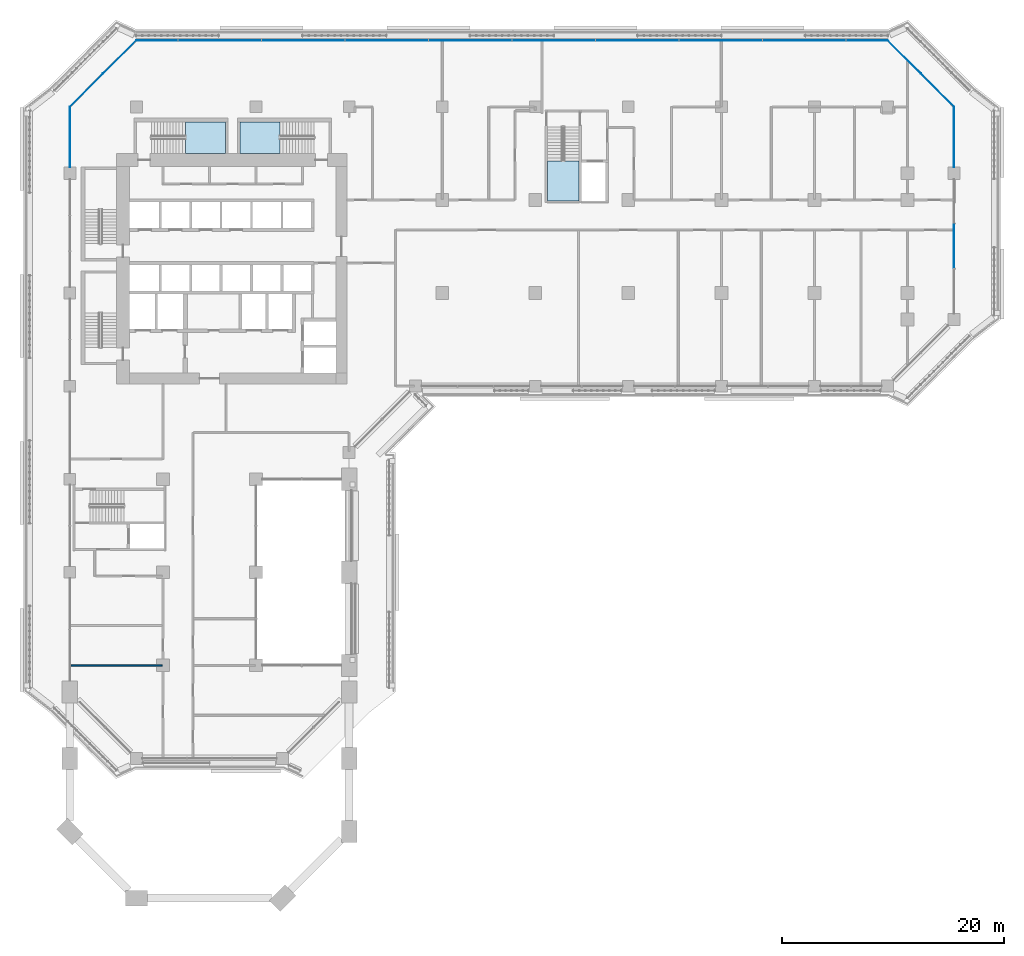
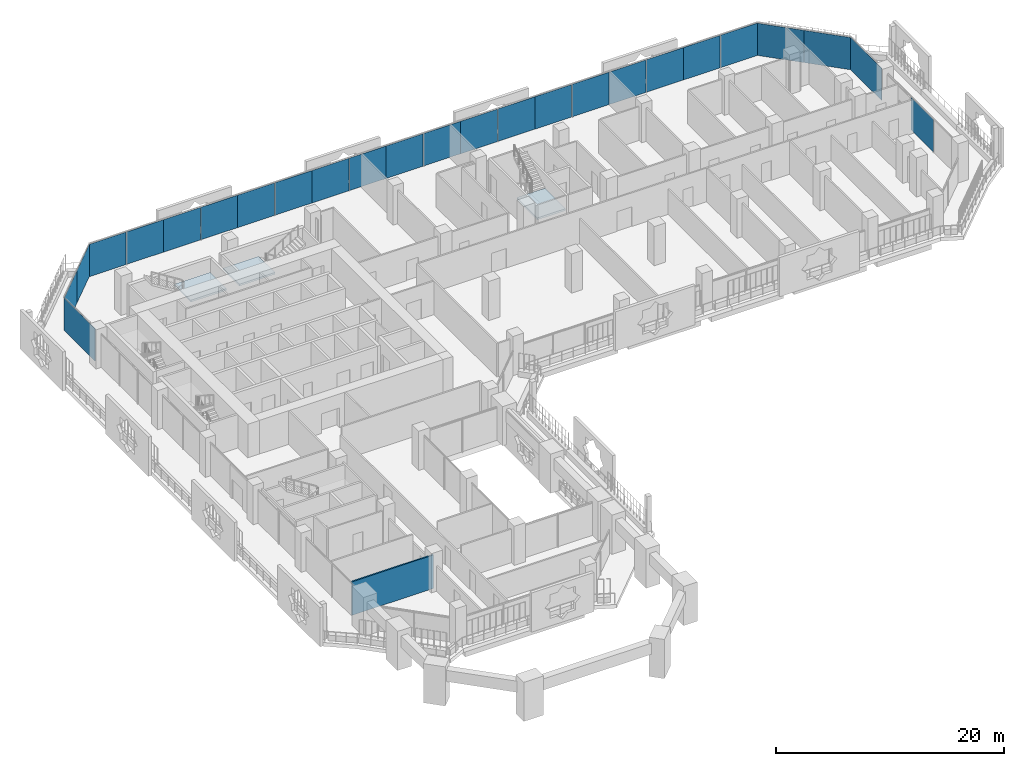
# One storey, part 12 of 27: 25 plates, 3 slabs, 1 wall, 8 elements without a shape of their own.
"""IFC4 building model written with IfcOpenShell, lengths in metres."""

import ifcopenshell
import ifcopenshell.guid

model = None  # the IFC model being written
_history = None  # IfcOwnerHistory: only IFC2X3 demands one
_inside = {}  # id of a spatial element -> (the spatial element, [elements in it])
_under = {}  # id of a project, library or spatial element -> (it, [spatial elements below it])
_declared = {}  # id of a project -> (the project, [libraries it declares])
_typed = {}  # id of a type object -> (the type object, [elements of that type])
_made_of = {}  # id of a material, layer set ... -> (it, [elements and type objects made of it])


def new_model(schema):
    """Start an empty IFC model of exactly this schema.

    Asked for "IFC4X3", IfcOpenShell would pick the latest addendum, in which some entities
    have other attributes; the version numbers below select the first issue.
    IFC2X3 requires an IfcOwnerHistory on every rooted entity: one is made here for all.
    """
    global model, _history
    if schema == "IFC4X3":
        model = ifcopenshell.file(schema_version=(4, 3, 0, 0))
    else:
        model = ifcopenshell.file(schema=schema)
    _inside.clear()
    _under.clear()
    _declared.clear()
    _typed.clear()
    _made_of.clear()
    _history = None
    if model.schema == "IFC2X3":
        org = make("IfcOrganization", Name="unknown")
        user = make(
            "IfcPersonAndOrganization",
            ThePerson=make("IfcPerson", FamilyName="unknown"),
            TheOrganization=org,
        )
        app = make(
            "IfcApplication",
            ApplicationDeveloper=org,
            Version="unknown",
            ApplicationFullName="unknown",
            ApplicationIdentifier="unknown",
        )
        _history = make(
            "IfcOwnerHistory",
            OwningUser=user,
            OwningApplication=app,
            ChangeAction="ADDED",
            CreationDate=0,
        )
    return model


def make(cls, **values):
    """One entity of the class cls with the attributes given. An attribute that is None is left unset."""
    return model.create_entity(
        cls, **{name: value for name, value in values.items() if value is not None}
    )


def rooted(cls, **values):
    """An entity with a GlobalId (a new one), such as an element, a storey or a relation."""
    return make(cls, GlobalId=ifcopenshell.guid.new(), OwnerHistory=_history, **values)


def si_unit(unit_type, name, prefix=None):
    """IfcSIUnit, for example si_unit("LENGTHUNIT", "METRE", prefix="MILLI")."""
    return make("IfcSIUnit", UnitType=unit_type, Prefix=prefix, Name=name)


def assignment(units):
    """IfcUnitAssignment: the units of a project."""
    return None if units is None else make("IfcUnitAssignment", Units=units)


def point(xyz):
    """IfcCartesianPoint."""
    return None if xyz is None else make("IfcCartesianPoint", Coordinates=xyz)


def direction(xyz):
    """IfcDirection."""
    return None if xyz is None else make("IfcDirection", DirectionRatios=xyz)


def frame(location, z_axis=None, x_axis=None):
    """IfcAxis2Placement3D, a coordinate frame: its origin and axes. An axis left out is left unset."""
    return make(
        "IfcAxis2Placement3D",
        Location=point(location),
        Axis=direction(z_axis),
        RefDirection=direction(x_axis),
    )


def frame_2d(location, x_axis=None):
    """IfcAxis2Placement2D, a coordinate frame in the plane: its origin and x axis."""
    return make(
        "IfcAxis2Placement2D", Location=point(location), RefDirection=direction(x_axis)
    )


def origin():
    """The frame at (0, 0, 0) with its axes left unset."""
    return frame((0.0, 0.0, 0.0))


def origin_2d():
    """The frame at (0, 0) in the plane with its x axis left unset."""
    return frame_2d((0.0, 0.0))


def place(relative_to, where):
    """IfcLocalPlacement: puts the frame where relative to a parent placement (None: the world)."""
    return make(
        "IfcLocalPlacement", PlacementRelTo=relative_to, RelativePlacement=where
    )


def context(
    kind, dimensions, precision=None, world=None, true_north=None, identifier=None
):
    """IfcGeometricRepresentationContext, for example the 3D "Model" context."""
    return make(
        "IfcGeometricRepresentationContext",
        ContextIdentifier=identifier,
        ContextType=kind,
        CoordinateSpaceDimension=dimensions,
        Precision=precision,
        WorldCoordinateSystem=world,
        TrueNorth=true_north,
    )


def subcontext(parent, identifier, kind, view, scale=None):
    """IfcGeometricRepresentationSubContext, for example "Body" below "Model"."""
    return make(
        "IfcGeometricRepresentationSubContext",
        ContextIdentifier=identifier,
        ContextType=kind,
        ParentContext=parent,
        TargetScale=scale,
        TargetView=view,
    )


def project(units=None, contexts=None):
    """IfcProject with its units and contexts."""
    return rooted(
        "IfcProject",
        Name="project",
        RepresentationContexts=contexts,
        UnitsInContext=assignment(units),
    )


def spatial(cls, under=None, at=None, **own):
    """A site, building, storey or space (cls), placed at a placement, below another one or the project."""
    s = rooted(cls, ObjectPlacement=at, **own)
    if under is not None:
        _under.setdefault(under.id(), (under, []))[1].append(s)
    return s


def polyline(points):
    """IfcPolyline through the points."""
    return make("IfcPolyline", Points=[point(p) for p in points])


def profile(cls, at=None, kind="AREA", **sizes):
    """A parametric profile (cls). Its sizes go by their IFC names, for example OverallWidth=200.0."""
    return make(cls, ProfileType=kind, Position=at, **sizes)


def rectangle(**sizes):
    """IfcRectangleProfileDef."""
    return profile("IfcRectangleProfileDef", **sizes)


def outline(outer, holes=None, kind="AREA"):
    """IfcArbitraryClosedProfileDef: a profile drawn as a closed curve; with holes, ...WithVoids."""
    if holes is None:
        return make("IfcArbitraryClosedProfileDef", ProfileType=kind, OuterCurve=outer)
    return make(
        "IfcArbitraryProfileDefWithVoids",
        ProfileType=kind,
        OuterCurve=outer,
        InnerCurves=holes,
    )


def extrude(swept, where, along, depth):
    """IfcExtrudedAreaSolid: the profile swept, set in the frame where, extruded along a direction by depth."""
    return make(
        "IfcExtrudedAreaSolid",
        SweptArea=swept,
        Position=where,
        ExtrudedDirection=direction(along),
        Depth=depth,
    )


def shape(context_of_items, identifier, shape_type, items):
    """IfcShapeRepresentation: the items that make up one representation, for example the "Body"."""
    return make(
        "IfcShapeRepresentation",
        ContextOfItems=context_of_items,
        RepresentationIdentifier=identifier,
        RepresentationType=shape_type,
        Items=items,
    )


def material(Name=None, Category=None):
    """IfcMaterial."""
    return make("IfcMaterial", Name=Name, Category=Category)


def layer(
    of_material, thickness, ventilated=None, Name=None, Category=None, Priority=None
):
    """IfcMaterialLayer: one layer of a wall or slab, of a material (None: an air gap)."""
    return make(
        "IfcMaterialLayer",
        Material=of_material,
        LayerThickness=thickness,
        IsVentilated=ventilated,
        Name=Name,
        Category=Category,
        Priority=Priority,
    )


def layer_set(layers, Name=None):
    """IfcMaterialLayerSet."""
    return make("IfcMaterialLayerSet", MaterialLayers=layers, LayerSetName=Name)


def made_of(thing, what):
    """Note that an element or type object is made of a material, layer set ...; save() writes the relation."""
    if what is not None:
        _made_of.setdefault(what.id(), (what, []))[1].append(thing)
    return thing


def type_object(cls, material=None, **own):
    """A type object (cls), such as IfcWallType, which elements share."""
    return made_of(rooted(cls, **own), material)


def element(
    cls,
    number,
    at=None,
    inside=None,
    cuts=None,
    type_object=None,
    material=None,
    context=None,
    identifier="Body",
    shape_type=None,
    held_by="IfcProductDefinitionShape",
    body=None,
    shapes=None,
    **own,
):
    """One element of the class cls, such as IfcWall. Its Tag is "e" and its number.

    at: its placement. inside: the storey or other place that contains it. cuts: it is an
    opening in that element (IfcRelVoidsElement). A single representation is given by context,
    identifier, shape_type and body (its items); several are given by shapes. held_by: the class
    of the entity that holds the representations. save() writes the other relations.
    """
    e = rooted(cls, Tag="e%d" % number, ObjectPlacement=at, **own)
    if body is not None:
        shapes = [shape(context, identifier, shape_type, body)]
    if shapes is not None:
        e.Representation = make(held_by, Representations=shapes)
    if inside is not None:
        _inside.setdefault(inside.id(), (inside, []))[1].append(e)
    if cuts is not None:
        rooted(
            "IfcRelVoidsElement", RelatingBuildingElement=cuts, RelatedOpeningElement=e
        )
    if type_object is not None:
        _typed.setdefault(type_object.id(), (type_object, []))[1].append(e)
    return made_of(e, material)


def aggregate(whole, parts):
    """IfcRelAggregates: a whole, such as a stair, and the parts it consists of."""
    return rooted("IfcRelAggregates", RelatingObject=whole, RelatedObjects=parts)


def save(model, path):
    """Write the relations noted so far, then the file.

    IfcRelAggregates (storeys below a building ...), IfcRelContainedInSpatialStructure (elements
    in a storey), IfcRelDefinesByType, IfcRelAssociatesMaterial and IfcRelDeclares: one each for
    every whole, place, type object, material and project.
    """
    for whole, parts in _under.values():
        aggregate(whole, parts)
    for where, things in _inside.values():
        rooted(
            "IfcRelContainedInSpatialStructure",
            RelatedElements=things,
            RelatingStructure=where,
        )
    for kind, things in _typed.values():
        rooted("IfcRelDefinesByType", RelatedObjects=things, RelatingType=kind)
    for what, things in _made_of.values():
        rooted("IfcRelAssociatesMaterial", RelatedObjects=things, RelatingMaterial=what)
    for by, libraries in _declared.values():
        rooted("IfcRelDeclares", RelatingContext=by, RelatedDefinitions=libraries)
    model.write(path)


model = new_model("IFC4")

# Units and contexts
model_context = context("Model", 3, precision=1e-05, world=origin(), true_north=direction((0.0, 1.0)))
body_context = subcontext(model_context, "Body", "Model", "MODEL_VIEW")
ifc_project = project(units=[si_unit("LENGTHUNIT", "METRE"), si_unit("AREAUNIT", "SQUARE_METRE"), si_unit("VOLUMEUNIT", "CUBIC_METRE"), si_unit("PLANEANGLEUNIT", "RADIAN"), si_unit("MASSUNIT", "GRAM", prefix="KILO")], contexts=[model_context])

# Site, building, storey
site_placement = place(None, origin())
site = spatial("IfcSite", under=ifc_project, at=site_placement, CompositionType="ELEMENT")
building_placement = place(site_placement, origin())
building = spatial("IfcBuilding", under=site, at=building_placement, Name="Kawkab Arch Medical Tower", CompositionType="ELEMENT")
storey_placement = place(building_placement, frame((0.0, 0.0, 103.0)))
storey = spatial("IfcBuildingStorey", under=building, at=storey_placement, Name="L23", CompositionType="ELEMENT", Elevation=103.0)

# Curtain wall, plates
ifc_material_1 = material(Name="Bronze anodised aluminium curtain wall frame", Category="aluminium")
ifc_layer_1 = layer(ifc_material_1, 0.159912109375)
ifc_layer_set_1 = layer_set([ifc_layer_1], Name="Bronze anodised aluminium curtain wall frame")
curtain_wall_type_1 = type_object("IfcCurtainWallType", Name="CW1 ward curtain wall", PredefinedType="NOTDEFINED", material=ifc_layer_set_1)
placement_1 = place(storey_placement, origin())
curtain_wall_1 = element("IfcCurtainWall", 1, at=placement_1, inside=storey, type_object=curtain_wall_type_1, Name="CW1 Ward curtain wall R09", PredefinedType="NOTDEFINED")
ifc_material_2 = material(Name="Tinted insulating glass, bronze low-e coating", Category="glass")
ifc_layer_2 = layer(ifc_material_2, 0.031982421875)
ifc_layer_set_2 = layer_set([ifc_layer_2], Name="Tinted insulating glass, bronze low-e coating")
plate_type_1 = type_object("IfcPlateType", Name="CW1 glazing unit 32", PredefinedType="CURTAIN_PANEL", material=ifc_layer_set_2)
plate_1_placement = place(storey_placement, frame((79.800048828125, -12.5849609375, 0.0), z_axis=(0.0, 0.0, 1.0), x_axis=(0.0, 1.0, 0.0)))
plate_1 = element("IfcPlate", 2, at=plate_1_placement, type_object=plate_type_1, Name="CW1 glazing unit 1.2", PredefinedType="CURTAIN_PANEL", context=body_context, shape_type="SweptSolid", body=[
    extrude(rectangle(XDim=4.00341796875, YDim=0.031982421875, at=origin_2d()), origin(), (0.0, 0.0, 1.0), 3.47998046875),
])
plate_2_placement = place(storey_placement, frame((79.800048828125, -2.72509765625, 0.0), z_axis=(0.0, 0.0, 1.0), x_axis=(0.0, 1.0, 0.0)))
plate_2 = element("IfcPlate", 3, at=plate_2_placement, type_object=plate_type_1, Name="CW1 glazing unit 2.1", PredefinedType="CURTAIN_PANEL", context=body_context, shape_type="SweptSolid", body=[
    extrude(rectangle(XDim=5.449951171875, YDim=0.031982421875, at=origin_2d()), origin(), (0.0, 0.0, 1.0), 3.47998046875),
])
aggregate(curtain_wall_1, [plate_1, plate_2])

curtain_wall_2 = element("IfcCurtainWall", 4, at=placement_1, inside=storey, type_object=curtain_wall_type_1, Name="CW1 Ward curtain wall R11", PredefinedType="NOTDEFINED")
plate_3_placement = place(storey_placement, frame((71.931640625, 6.0, 0.0), z_axis=(0.0, 0.0, 1.0), x_axis=(-1.0, 0.0, 0.0)))
plate_3 = element("IfcPlate", 5, at=plate_3_placement, type_object=plate_type_1, Name="CW1 glazing unit 1.1", PredefinedType="CURTAIN_PANEL", context=body_context, shape_type="SweptSolid", body=[
    extrude(rectangle(XDim=3.736572265625, YDim=0.031982421875, at=origin_2d()), origin(), (0.0, 0.0, 1.0), 3.47998046875),
])
plate_4_placement = place(storey_placement, frame((68.135009765625, 6.0, 0.0), z_axis=(0.0, 0.0, 1.0), x_axis=(-1.0, 0.0, 0.0)))
plate_4 = element("IfcPlate", 6, at=plate_4_placement, type_object=plate_type_1, Name="CW1 glazing unit 1.2", PredefinedType="CURTAIN_PANEL", context=body_context, shape_type="SweptSolid", body=[
    extrude(rectangle(XDim=3.736572265625, YDim=0.031982421875, at=origin_2d()), origin(), (0.0, 0.0, 1.0), 3.47998046875),
])
plate_5_placement = place(storey_placement, frame((64.3984375, 6.0, 0.0), z_axis=(0.0, 0.0, 1.0), x_axis=(-1.0, 0.0, 0.0)))
plate_5 = element("IfcPlate", 7, at=plate_5_placement, type_object=plate_type_1, Name="CW1 glazing unit 2.1", PredefinedType="CURTAIN_PANEL", context=body_context, shape_type="SweptSolid", body=[
    extrude(rectangle(XDim=3.736572265625, YDim=0.031982421875, at=origin_2d()), origin(), (0.0, 0.0, 1.0), 3.47998046875),
])
plate_6_placement = place(storey_placement, frame((60.6015625, 6.0, 0.0), z_axis=(0.0, 0.0, 1.0), x_axis=(-1.0, 0.0, 0.0)))
plate_6 = element("IfcPlate", 8, at=plate_6_placement, type_object=plate_type_1, Name="CW1 glazing unit 2.2", PredefinedType="CURTAIN_PANEL", context=body_context, shape_type="SweptSolid", body=[
    extrude(rectangle(XDim=3.736572265625, YDim=0.031982421875, at=origin_2d()), origin(), (0.0, 0.0, 1.0), 3.47998046875),
])
plate_7_placement = place(storey_placement, frame((56.864990234375, 6.0, 0.0), z_axis=(0.0, 0.0, 1.0), x_axis=(-1.0, 0.0, 0.0)))
plate_7 = element("IfcPlate", 9, at=plate_7_placement, type_object=plate_type_1, Name="CW1 glazing unit 3.1", PredefinedType="CURTAIN_PANEL", context=body_context, shape_type="SweptSolid", body=[
    extrude(rectangle(XDim=3.736572265625, YDim=0.031982421875, at=origin_2d()), origin(), (0.0, 0.0, 1.0), 3.47998046875),
])
plate_8_placement = place(storey_placement, frame((53.068359375, 6.0, 0.0), z_axis=(0.0, 0.0, 1.0), x_axis=(-1.0, 0.0, 0.0)))
plate_8 = element("IfcPlate", 10, at=plate_8_placement, type_object=plate_type_1, Name="CW1 glazing unit 3.2", PredefinedType="CURTAIN_PANEL", context=body_context, shape_type="SweptSolid", body=[
    extrude(rectangle(XDim=3.736572265625, YDim=0.031982421875, at=origin_2d()), origin(), (0.0, 0.0, 1.0), 3.47998046875),
])
plate_9_placement = place(storey_placement, frame((49.331787109375, 6.0, 0.0), z_axis=(0.0, 0.0, 1.0), x_axis=(-1.0, 0.0, 0.0)))
plate_9 = element("IfcPlate", 11, at=plate_9_placement, type_object=plate_type_1, Name="CW1 glazing unit 4.1", PredefinedType="CURTAIN_PANEL", context=body_context, shape_type="SweptSolid", body=[
    extrude(rectangle(XDim=3.736572265625, YDim=0.031982421875, at=origin_2d()), origin(), (0.0, 0.0, 1.0), 3.47998046875),
])
plate_10_placement = place(storey_placement, frame((45.534912109375, 6.0, 0.0), z_axis=(0.0, 0.0, 1.0), x_axis=(-1.0, 0.0, 0.0)))
plate_10 = element("IfcPlate", 12, at=plate_10_placement, type_object=plate_type_1, Name="CW1 glazing unit 4.2", PredefinedType="CURTAIN_PANEL", context=body_context, shape_type="SweptSolid", body=[
    extrude(rectangle(XDim=3.736572265625, YDim=0.031982421875, at=origin_2d()), origin(), (0.0, 0.0, 1.0), 3.47998046875),
])
plate_11_placement = place(storey_placement, frame((41.79833984375, 6.0, 0.0), z_axis=(0.0, 0.0, 1.0), x_axis=(-1.0, 0.0, 0.0)))
plate_11 = element("IfcPlate", 13, at=plate_11_placement, type_object=plate_type_1, Name="CW1 glazing unit 5.1", PredefinedType="CURTAIN_PANEL", context=body_context, shape_type="SweptSolid", body=[
    extrude(rectangle(XDim=3.736572265625, YDim=0.031982421875, at=origin_2d()), origin(), (0.0, 0.0, 1.0), 3.47998046875),
])
plate_12_placement = place(storey_placement, frame((38.001708984375, 6.0, 0.0), z_axis=(0.0, 0.0, 1.0), x_axis=(-1.0, 0.0, 0.0)))
plate_12 = element("IfcPlate", 14, at=plate_12_placement, type_object=plate_type_1, Name="CW1 glazing unit 5.2", PredefinedType="CURTAIN_PANEL", context=body_context, shape_type="SweptSolid", body=[
    extrude(rectangle(XDim=3.736572265625, YDim=0.031982421875, at=origin_2d()), origin(), (0.0, 0.0, 1.0), 3.47998046875),
])
plate_13_placement = place(storey_placement, frame((34.264892578125, 6.0, 0.0), z_axis=(0.0, 0.0, 1.0), x_axis=(-1.0, 0.0, 0.0)))
plate_13 = element("IfcPlate", 15, at=plate_13_placement, type_object=plate_type_1, Name="CW1 glazing unit 6.1", PredefinedType="CURTAIN_PANEL", context=body_context, shape_type="SweptSolid", body=[
    extrude(rectangle(XDim=3.736572265625, YDim=0.031982421875, at=origin_2d()), origin(), (0.0, 0.0, 1.0), 3.47998046875),
])
plate_14_placement = place(storey_placement, frame((30.46826171875, 6.0, 0.0), z_axis=(0.0, 0.0, 1.0), x_axis=(-1.0, 0.0, 0.0)))
plate_14 = element("IfcPlate", 16, at=plate_14_placement, type_object=plate_type_1, Name="CW1 glazing unit 6.2", PredefinedType="CURTAIN_PANEL", context=body_context, shape_type="SweptSolid", body=[
    extrude(rectangle(XDim=3.736572265625, YDim=0.031982421875, at=origin_2d()), origin(), (0.0, 0.0, 1.0), 3.47998046875),
])
plate_15_placement = place(storey_placement, frame((26.731689453125, 6.0, 0.0), z_axis=(0.0, 0.0, 1.0), x_axis=(-1.0, 0.0, 0.0)))
plate_15 = element("IfcPlate", 17, at=plate_15_placement, type_object=plate_type_1, Name="CW1 glazing unit 7.1", PredefinedType="CURTAIN_PANEL", context=body_context, shape_type="SweptSolid", body=[
    extrude(rectangle(XDim=3.736572265625, YDim=0.031982421875, at=origin_2d()), origin(), (0.0, 0.0, 1.0), 3.47998046875),
])
plate_16_placement = place(storey_placement, frame((22.93505859375, 6.0, 0.0), z_axis=(0.0, 0.0, 1.0), x_axis=(-1.0, 0.0, 0.0)))
plate_16 = element("IfcPlate", 18, at=plate_16_placement, type_object=plate_type_1, Name="CW1 glazing unit 7.2", PredefinedType="CURTAIN_PANEL", context=body_context, shape_type="SweptSolid", body=[
    extrude(rectangle(XDim=3.736572265625, YDim=0.031982421875, at=origin_2d()), origin(), (0.0, 0.0, 1.0), 3.47998046875),
])
plate_17_placement = place(storey_placement, frame((19.1982421875, 6.0, 0.0), z_axis=(0.0, 0.0, 1.0), x_axis=(-1.0, 0.0, 0.0)))
plate_17 = element("IfcPlate", 19, at=plate_17_placement, type_object=plate_type_1, Name="CW1 glazing unit 8.1", PredefinedType="CURTAIN_PANEL", context=body_context, shape_type="SweptSolid", body=[
    extrude(rectangle(XDim=3.736572265625, YDim=0.031982421875, at=origin_2d()), origin(), (0.0, 0.0, 1.0), 3.47998046875),
])
plate_18_placement = place(storey_placement, frame((15.401611328125, 6.0, 0.0), z_axis=(0.0, 0.0, 1.0), x_axis=(-1.0, 0.0, 0.0)))
plate_18 = element("IfcPlate", 20, at=plate_18_placement, type_object=plate_type_1, Name="CW1 glazing unit 8.2", PredefinedType="CURTAIN_PANEL", context=body_context, shape_type="SweptSolid", body=[
    extrude(rectangle(XDim=3.736572265625, YDim=0.031982421875, at=origin_2d()), origin(), (0.0, 0.0, 1.0), 3.47998046875),
])
plate_19_placement = place(storey_placement, frame((11.6650390625, 6.0, 0.0), z_axis=(0.0, 0.0, 1.0), x_axis=(-1.0, 0.0, 0.0)))
plate_19 = element("IfcPlate", 21, at=plate_19_placement, type_object=plate_type_1, Name="CW1 glazing unit 9.1", PredefinedType="CURTAIN_PANEL", context=body_context, shape_type="SweptSolid", body=[
    extrude(rectangle(XDim=3.736572265625, YDim=0.031982421875, at=origin_2d()), origin(), (0.0, 0.0, 1.0), 3.47998046875),
])
plate_20_placement = place(storey_placement, frame((7.868408203125, 6.0, 0.0), z_axis=(0.0, 0.0, 1.0), x_axis=(-1.0, 0.0, 0.0)))
plate_20 = element("IfcPlate", 22, at=plate_20_placement, type_object=plate_type_1, Name="CW1 glazing unit 9.2", PredefinedType="CURTAIN_PANEL", context=body_context, shape_type="SweptSolid", body=[
    extrude(rectangle(XDim=3.736572265625, YDim=0.031982421875, at=origin_2d()), origin(), (0.0, 0.0, 1.0), 3.47998046875),
])
aggregate(curtain_wall_2, [plate_3, plate_4, plate_5, plate_6, plate_7, plate_8, plate_9, plate_10, plate_11, plate_12, plate_13, plate_14, plate_15, plate_16, plate_17, plate_18, plate_19, plate_20])

# Curtain wall, plate
curtain_wall_3 = element("IfcCurtainWall", 23, at=placement_1, inside=storey, type_object=curtain_wall_type_1, Name="CW1 Ward curtain wall R13", PredefinedType="NOTDEFINED")
plate_21_placement = place(storey_placement, frame((0.0, -2.72509765625, 0.0), z_axis=(0.0, 0.0, 1.0), x_axis=(0.0, -1.0, 0.0)))
plate_21 = element("IfcPlate", 24, at=plate_21_placement, type_object=plate_type_1, Name="CW1 glazing unit 1.1", PredefinedType="CURTAIN_PANEL", context=body_context, shape_type="SweptSolid", body=[
    extrude(rectangle(XDim=5.449951171875, YDim=0.031982421875, at=origin_2d()), origin(), (0.0, 0.0, 1.0), 3.47998046875),
])
aggregate(curtain_wall_3, [plate_21])

# Curtain wall, plates
ifc_material_3 = material(Name="Bronze anodised aluminium curtain wall frame", Category="aluminium")
ifc_layer_3 = layer(ifc_material_3, 0.159912109375)
ifc_layer_set_3 = layer_set([ifc_layer_3], Name="Bronze anodised aluminium curtain wall frame")
curtain_wall_type_2 = type_object("IfcCurtainWallType", Name="CW2 chamfer curtain wall", PredefinedType="NOTDEFINED", material=ifc_layer_set_3)
curtain_wall_4 = element("IfcCurtainWall", 25, at=placement_1, inside=storey, type_object=curtain_wall_type_2, Name="CW2 Chamfer curtain wall R10", PredefinedType="NOTDEFINED")
ifc_material_4 = material(Name="Tinted insulating glass, bronze low-e coating", Category="glass")
ifc_layer_4 = layer(ifc_material_4, 0.031982421875)
ifc_layer_set_4 = layer_set([ifc_layer_4], Name="Tinted insulating glass, bronze low-e coating")
plate_type_2 = type_object("IfcPlateType", Name="CW2 glazing unit 32", PredefinedType="CURTAIN_PANEL", material=ifc_layer_set_4)
plate_22_placement = place(storey_placement, frame((78.300048828125, 1.5, 0.0), z_axis=(0.0, 0.0, 1.0), x_axis=(-0.707106781187, 0.707106781187, 0.0)))
plate_22 = element("IfcPlate", 26, at=plate_22_placement, type_object=plate_type_2, Name="CW2 glazing unit 1.1", PredefinedType="CURTAIN_PANEL", context=body_context, shape_type="SweptSolid", body=[
    extrude(rectangle(XDim=4.24267578125, YDim=0.031982421875, at=origin_2d()), origin(), (0.0, 0.0, 1.0), 3.4599609375),
])
plate_23_placement = place(storey_placement, frame((75.300048828125, 4.5, 0.0), z_axis=(0.0, 0.0, 1.0), x_axis=(-0.707106781187, 0.707106781187, 0.0)))
plate_23 = element("IfcPlate", 27, at=plate_23_placement, type_object=plate_type_2, Name="CW2 glazing unit 2.1", PredefinedType="CURTAIN_PANEL", context=body_context, shape_type="SweptSolid", body=[
    extrude(rectangle(XDim=4.24267578125, YDim=0.031982421875, at=origin_2d()), origin(), (0.0, 0.0, 1.0), 3.4599609375),
])
aggregate(curtain_wall_4, [plate_22, plate_23])

curtain_wall_5 = element("IfcCurtainWall", 28, at=placement_1, inside=storey, type_object=curtain_wall_type_2, Name="CW2 Chamfer curtain wall R12", PredefinedType="NOTDEFINED")
plate_24_placement = place(storey_placement, frame((4.5, 4.5, 0.0), z_axis=(0.0, 0.0, 1.0), x_axis=(-0.707106781187, -0.707106781187, 0.0)))
plate_24 = element("IfcPlate", 29, at=plate_24_placement, type_object=plate_type_2, Name="CW2 glazing unit 1.1", PredefinedType="CURTAIN_PANEL", context=body_context, shape_type="SweptSolid", body=[
    extrude(rectangle(XDim=4.24267578125, YDim=0.031982421875, at=origin_2d()), origin(), (0.0, 0.0, 1.0), 3.4599609375),
])
plate_25_placement = place(storey_placement, frame((1.5, 1.5, 0.0), z_axis=(0.0, 0.0, 1.0), x_axis=(-0.707106781187, -0.707106781187, 0.0)))
plate_25 = element("IfcPlate", 30, at=plate_25_placement, type_object=plate_type_2, Name="CW2 glazing unit 2.1", PredefinedType="CURTAIN_PANEL", context=body_context, shape_type="SweptSolid", body=[
    extrude(rectangle(XDim=4.24267578125, YDim=0.031982421875, at=origin_2d()), origin(), (0.0, 0.0, 1.0), 3.4599609375),
])
aggregate(curtain_wall_5, [plate_24, plate_25])

# Stair, slab
ifc_material_5 = material(Name="Concrete C40/50", Category="concrete")
stair_type = type_object("IfcStairType", Name="Exit stair 1350", PredefinedType="HALF_TURN_STAIR", material=ifc_material_5)
stair_1 = element("IfcStair", 31, at=placement_1, inside=storey, type_object=stair_type, Name="L23 Exit stair ST3", PredefinedType="HALF_TURN_STAIR")
ifc_material_6 = material(Name="Concrete C40/50", Category="concrete")
ifc_layer_5 = layer(ifc_material_6, 0.199951171875)
ifc_layer_set_5 = layer_set([ifc_layer_5], Name="Concrete C40/50")
slab_type = type_object("IfcSlabType", Name="Exit stair landing 200", PredefinedType="LANDING", material=ifc_layer_set_5)
placement_2 = place(storey_placement, frame((0.0, 0.0, 1.89990234375)))
slab_1 = element("IfcSlab", 32, at=placement_2, type_object=slab_type, Name="ST3 landing 1", PredefinedType="LANDING", context=body_context, shape_type="SweptSolid", body=[
    extrude(outline(polyline([(10.429931640625, -4.199951171875), (14.050048828125, -4.199951171875), (14.050048828125, -1.35009765625), (10.429931640625, -1.35009765625), (10.429931640625, -4.199951171875)])), origin(), (0.0, 0.0, 1.0), 0.2001953125),
])
aggregate(stair_1, [slab_1])

stair_2 = element("IfcStair", 33, at=placement_1, inside=storey, type_object=stair_type, Name="L23 Exit stair ST4", PredefinedType="HALF_TURN_STAIR")
slab_2 = element("IfcSlab", 34, at=placement_2, type_object=slab_type, Name="ST4 landing 1", PredefinedType="LANDING", context=body_context, shape_type="SweptSolid", body=[
    extrude(outline(polyline([(18.969970703125, -1.35009765625), (15.35009765625, -1.35009765625), (15.35009765625, -4.199951171875), (18.969970703125, -4.199951171875), (18.969970703125, -1.35009765625)])), origin(), (0.0, 0.0, 1.0), 0.2001953125),
])
aggregate(stair_2, [slab_2])

stair_3 = element("IfcStair", 35, at=placement_1, inside=storey, type_object=stair_type, Name="L23 Exit stair ST5", PredefinedType="HALF_TURN_STAIR")
slab_3 = element("IfcSlab", 36, at=placement_2, type_object=slab_type, Name="ST5 landing 1", PredefinedType="LANDING", context=body_context, shape_type="SweptSolid", body=[
    extrude(outline(polyline([(43.10009765625, -4.8798828125), (43.10009765625, -8.5), (45.949951171875, -8.5), (45.949951171875, -4.8798828125), (43.10009765625, -4.8798828125)])), origin(), (0.0, 0.0, 1.0), 0.2001953125),
])
aggregate(stair_3, [slab_3])

# Wall
ifc_material_7 = material(Name="Gypsum board partition on steel studs, mineral wool", Category="steel")
ifc_layer_6 = layer(ifc_material_7, 0.14990234375)
ifc_layer_set_6 = layer_set([ifc_layer_6], Name="Gypsum board partition on steel studs, mineral wool")
wall_type = type_object("IfcWallType", Name="Partition 150", PredefinedType="PARTITIONING", material=ifc_layer_set_6)
wall_placement = place(storey_placement, frame((0.080078125, -50.39990234375, 0.0), z_axis=(0.0, 0.0, 1.0), x_axis=(1.0, 0.0, 0.0)))
element("IfcWall", 37, at=wall_placement, inside=storey, type_object=wall_type, Name="Partition 150 w004", PredefinedType="PARTITIONING", context=body_context, shape_type="SweptSolid", body=[
    extrude(rectangle(XDim=8.244873046875, YDim=0.14990234375, at=frame_2d((4.12255859375, 0.0))), origin(), (0.0, 0.0, 1.0), 3.60009765625),
])

save(model, "model.ifc")
